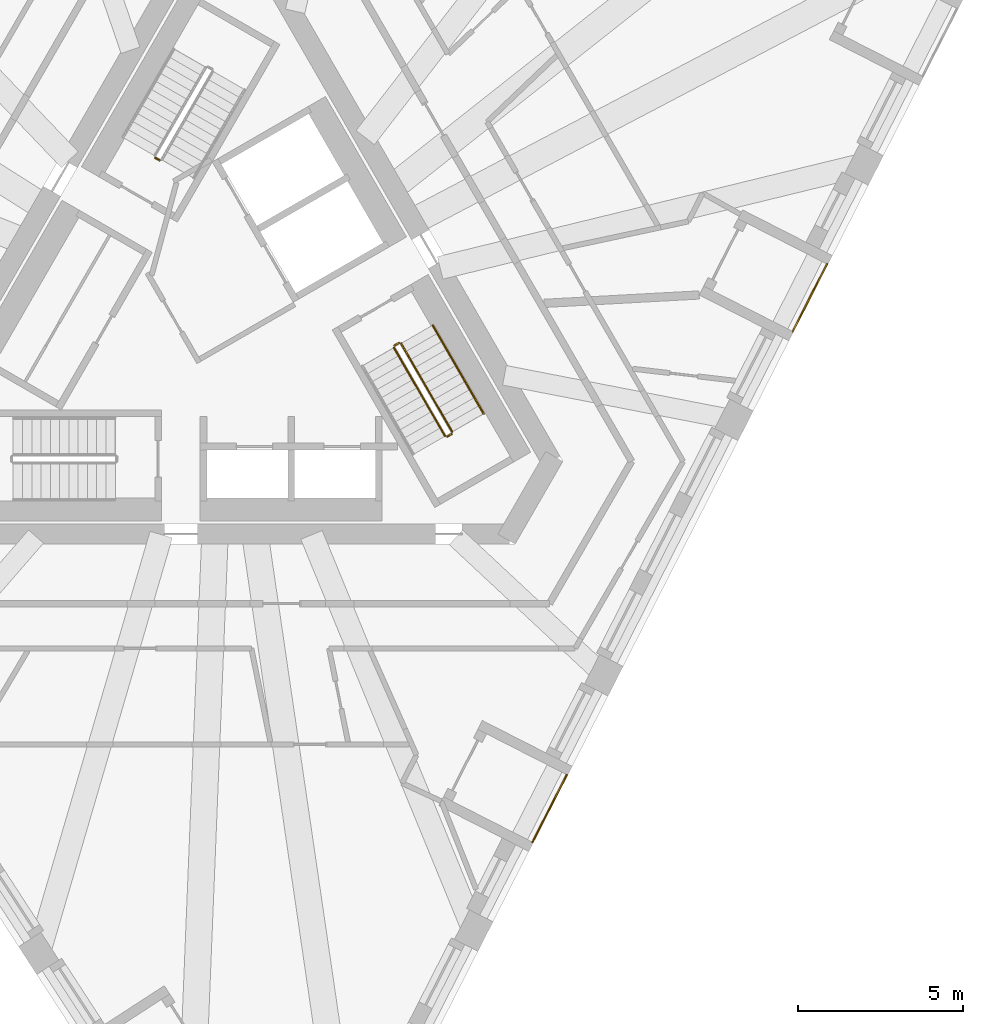
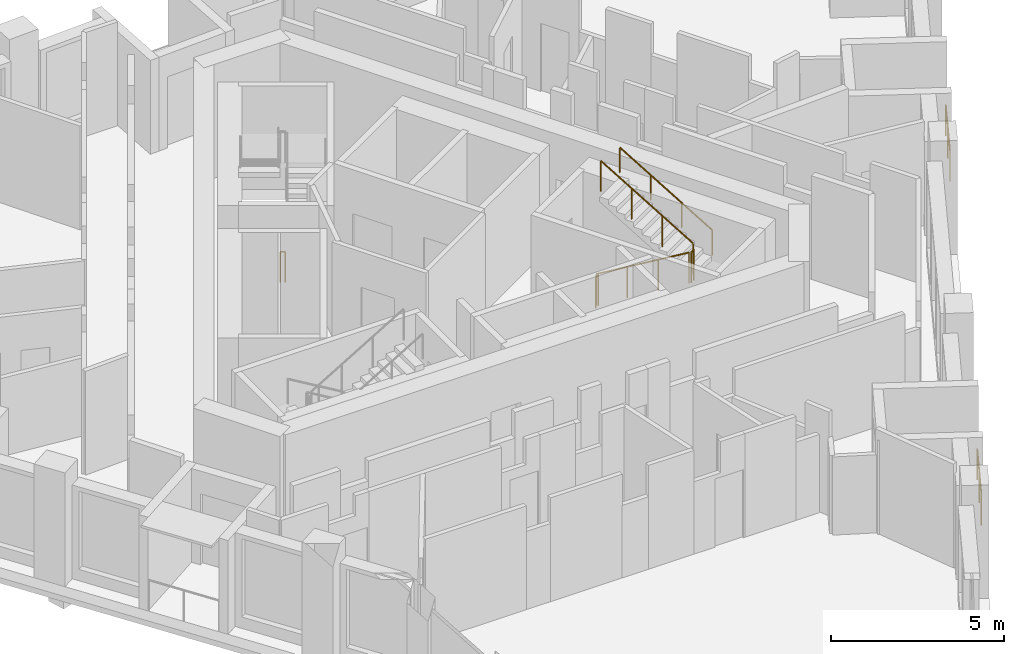
# One storey, part 10 of 12: 8 railings.
"""IFC4 building model written with IfcOpenShell, lengths in metres."""

from ifc_helpers import new_model, si_unit, direction, frame, origin, origin_2d, place, context, subcontext, project, spatial, circle, extrude, material, type_object, element, save


model = new_model("IFC4")

# Units and contexts
model_context = context("Model", 3, precision=1e-05, world=origin(), true_north=direction((0.0, 1.0)))
body_context = subcontext(model_context, "Body", "Model", "MODEL_VIEW")
ifc_project = project(units=[si_unit("LENGTHUNIT", "METRE"), si_unit("AREAUNIT", "SQUARE_METRE"), si_unit("VOLUMEUNIT", "CUBIC_METRE"), si_unit("PLANEANGLEUNIT", "RADIAN"), si_unit("MASSUNIT", "GRAM", prefix="KILO")], contexts=[model_context])

# Site, building, storey
site_placement = place(None, origin())
site = spatial("IfcSite", under=ifc_project, at=site_placement, CompositionType="ELEMENT")
building_placement = place(site_placement, origin())
building = spatial("IfcBuilding", under=site, at=building_placement, Name="Tramontana Tower", CompositionType="ELEMENT")
storey_placement = place(building_placement, frame((0.0, 0.0, 298.39990234375)))
storey = spatial("IfcBuildingStorey", under=building, at=storey_placement, Name="L70", CompositionType="ELEMENT", Elevation=298.39990234375)

# Railings
ifc_material_1 = material(Name="Laminated glass balustrade", Category="glass")
railing_type_1 = type_object("IfcRailingType", Name="GD1 Loggia glass balustrade 1100", PredefinedType="BALUSTRADE", material=ifc_material_1)
railing_1_placement = place(storey_placement, frame((9.3330078125, -15.75830078125, 0.0)))
element("IfcRailing", 1, at=railing_1_placement, inside=storey, type_object=railing_type_1, Name="Loggia balustrade L70 G7S1.4", PredefinedType="BALUSTRADE", context=body_context, shape_type="SweptSolid", body=[
    extrude(circle(Radius=0.02392578125, at=origin_2d()), frame((0.0, 0.0, 1.076171875), z_axis=(0.45403292632, 0.890984905494, 0.0), x_axis=(-0.890984905494, 0.45403292632, 0.0)), (0.0, 0.0, 1.0), 2.286865234375),
    extrude(circle(Radius=0.02099609375, at=origin_2d()), origin(), (0.0, 0.0, 1.0), 1.052001953125),
    extrude(circle(Radius=0.02099609375, at=origin_2d()), frame((0.51904296875, 1.018798828125, 0.0)), (0.0, 0.0, 1.0), 1.052001953125),
    extrude(circle(Radius=0.02099609375, at=origin_2d()), frame((1.038330078125, 2.03759765625, 0.0)), (0.0, 0.0, 1.0), 1.052001953125),
])
railing_2_placement = place(storey_placement, frame((17.196533203125, -0.32568359375, 0.0)))
element("IfcRailing", 2, at=railing_2_placement, inside=storey, type_object=railing_type_1, Name="Loggia balustrade L70 G7S1.10", PredefinedType="BALUSTRADE", context=body_context, shape_type="SweptSolid", body=[
    extrude(circle(Radius=0.02392578125, at=origin_2d()), frame((0.0, 0.0, 1.076171875), z_axis=(0.453948171533, 0.89102809022, 0.0), x_axis=(-0.89102809022, 0.453948171533, 0.0)), (0.0, 0.0, 1.0), 2.286865234375),
    extrude(circle(Radius=0.02099609375, at=origin_2d()), origin(), (0.0, 0.0, 1.0), 1.052001953125),
    extrude(circle(Radius=0.02099609375, at=origin_2d()), frame((0.51904296875, 1.018798828125, 0.0)), (0.0, 0.0, 1.0), 1.052001953125),
    extrude(circle(Radius=0.02099609375, at=origin_2d()), frame((1.0380859375, 2.03759765625, 0.0)), (0.0, 0.0, 1.0), 1.052001953125),
])
ifc_material_2 = material(Name="Painted steel", Category="steel")
railing_type_2 = type_object("IfcRailingType", Name="STAIR GUARD 1100", PredefinedType="GUARDRAIL", material=ifc_material_2)
railing_3_placement = place(storey_placement, frame((-1.935791015625, 4.84716796875, 0.0)))
element("IfcRailing", 3, at=railing_3_placement, inside=storey, type_object=railing_type_2, Name="L70 ST1 stair guard 4", PredefinedType="GUARDRAIL", context=body_context, shape_type="SweptSolid", body=[
    extrude(circle(Radius=0.02392578125, at=origin_2d()), frame((0.0, 0.0, 1.076171875), z_axis=(-0.865426285481, 0.501036270542, 0.0), x_axis=(-0.501036270542, -0.865426285481, 0.0)), (0.0, 0.0, 1.0), 0.150146484375),
    extrude(circle(Radius=0.02099609375, at=origin_2d()), origin(), (0.0, 0.0, 1.0), 1.052001953125),
    extrude(circle(Radius=0.02099609375, at=origin_2d()), frame((-0.1298828125, 0.0751953125, 0.0)), (0.0, 0.0, 1.0), 1.052001953125),
])
railing_4_placement = place(storey_placement, frame((5.1474609375, -0.815673828125, 0.166748046875)))
element("IfcRailing", 4, at=railing_4_placement, inside=storey, type_object=railing_type_2, Name="L70 ST3 stair guard 1", PredefinedType="GUARDRAIL", context=body_context, shape_type="SweptSolid", body=[
    extrude(circle(Radius=0.02392578125, at=origin_2d()), frame((0.0, 0.0, 1.076171875), z_axis=(0.429671193721, -0.744159446956, 0.511477646425), x_axis=(0.866010015463, 0.500026652407, 0.0)), (0.0, 0.0, 1.0), 3.584228515625),
    extrude(circle(Radius=0.02099609375, at=origin_2d()), origin(), (0.0, 0.0, 1.0), 1.052001953125),
    extrude(circle(Radius=0.02099609375, at=origin_2d()), frame((0.513427734375, -0.88916015625, 0.611083984375)), (0.0, 0.0, 1.0), 1.052001953125),
    extrude(circle(Radius=0.02099609375, at=origin_2d()), frame((1.026611328125, -1.778076171875, 1.22216796875)), (0.0, 0.0, 1.0), 1.052001953125),
    extrude(circle(Radius=0.02099609375, at=origin_2d()), frame((1.5400390625, -2.667236328125, 1.833251953125)), (0.0, 0.0, 1.0), 1.052001953125),
])
railing_5_placement = place(storey_placement, frame((6.90380859375, -3.35791015625, 2.166748046875)))
element("IfcRailing", 5, at=railing_5_placement, inside=storey, type_object=railing_type_2, Name="L70 ST3 stair guard 2", PredefinedType="GUARDRAIL", context=body_context, shape_type="SweptSolid", body=[
    extrude(circle(Radius=0.02392578125, at=origin_2d()), frame((0.0, 0.0, 1.076171875), z_axis=(-0.429615651263, 0.74418122563, 0.511492615401), x_axis=(-0.866044340336, -0.499967199496, 0.0)), (0.0, 0.0, 1.0), 3.584228515625),
    extrude(circle(Radius=0.02099609375, at=origin_2d()), origin(), (0.0, 0.0, 1.0), 1.052001953125),
    extrude(circle(Radius=0.02099609375, at=origin_2d()), frame((-0.51318359375, 0.88916015625, 0.611083984375)), (0.0, 0.0, 1.0), 1.052001953125),
    extrude(circle(Radius=0.02099609375, at=origin_2d()), frame((-1.026611328125, 1.778076171875, 1.22216796875)), (0.0, 0.0, 1.0), 1.052001953125),
    extrude(circle(Radius=0.02099609375, at=origin_2d()), frame((-1.539794921875, 2.667236328125, 1.833251953125)), (0.0, 0.0, 1.0), 1.052001953125),
])
for number, where, name in (
    (6, (6.755615234375, -3.501220703125, 2.0), "L70 ST3 stair guard 3"),
    (7, (5.165771484375, -0.747314453125, 0.0), "L70 ST3 stair guard 4"),
):
    element("IfcRailing", number, at=place(storey_placement, frame(where)), inside=storey, type_object=railing_type_2, Name=name, PredefinedType="GUARDRAIL", context=body_context, shape_type="SweptSolid", body=[
        extrude(circle(Radius=0.02392578125, at=origin_2d()), frame((0.0, 0.0, 1.076171875), z_axis=(0.866131372301, 0.499816412211, 0.0), x_axis=(-0.499816412211, 0.866131372301, 0.0)), (0.0, 0.0, 1.0), 0.14990234375),
        extrude(circle(Radius=0.02099609375, at=origin_2d()), origin(), (0.0, 0.0, 1.0), 1.052001953125),
        extrude(circle(Radius=0.02099609375, at=origin_2d()), frame((0.1298828125, 0.074951171875, 0.0)), (0.0, 0.0, 1.0), 1.052001953125),
    ])
ifc_material_3 = material(Name="Painted steel", Category="steel")
railing_type_3 = type_object("IfcRailingType", Name="STAIR HANDRAIL 900", PredefinedType="HANDRAIL", material=ifc_material_3)
railing_6_placement = place(storey_placement, frame((7.8564453125, -2.807861328125, 2.166748046875)))
element("IfcRailing", 8, at=railing_6_placement, inside=storey, type_object=railing_type_3, Name="L70 ST3 stair handrail 2", PredefinedType="HANDRAIL", context=body_context, shape_type="SweptSolid", body=[
    extrude(circle(Radius=0.02392578125, at=origin_2d()), frame((0.0, 0.0, 0.8759765625), z_axis=(-0.429615651263, 0.74418122563, 0.511492615401), x_axis=(-0.866044340336, -0.499967199496, 0.0)), (0.0, 0.0, 1.0), 3.584228515625),
    extrude(circle(Radius=0.02099609375, at=origin_2d()), origin(), (0.0, 0.0, 1.0), 0.851806640625),
    extrude(circle(Radius=0.02099609375, at=origin_2d()), frame((-0.51318359375, 0.88916015625, 0.611083984375)), (0.0, 0.0, 1.0), 0.851806640625),
    extrude(circle(Radius=0.02099609375, at=origin_2d()), frame((-1.026611328125, 1.778076171875, 1.22216796875)), (0.0, 0.0, 1.0), 0.851806640625),
    extrude(circle(Radius=0.02099609375, at=origin_2d()), frame((-1.539794921875, 2.667236328125, 1.833251953125)), (0.0, 0.0, 1.0), 0.851806640625),
])

save(model, "model.ifc")
